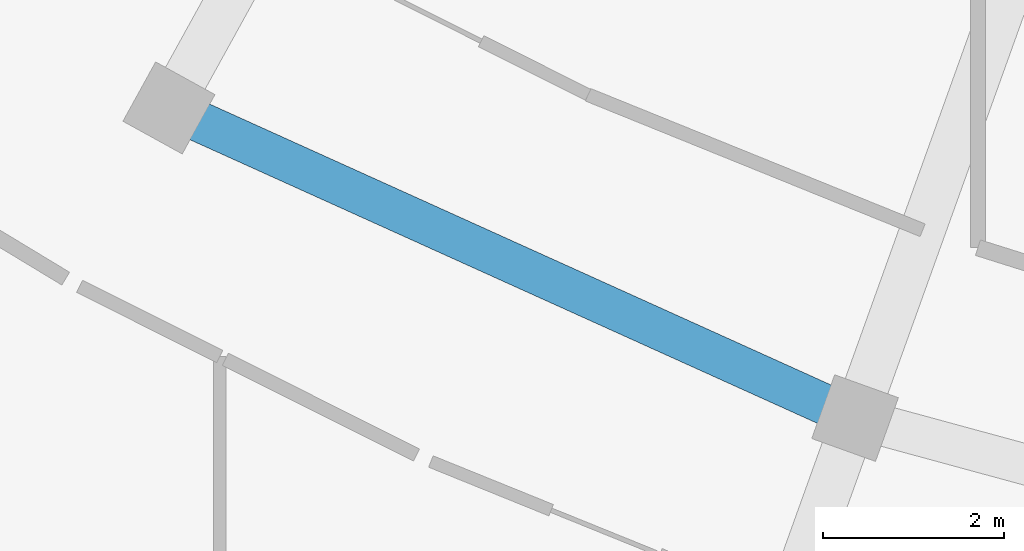
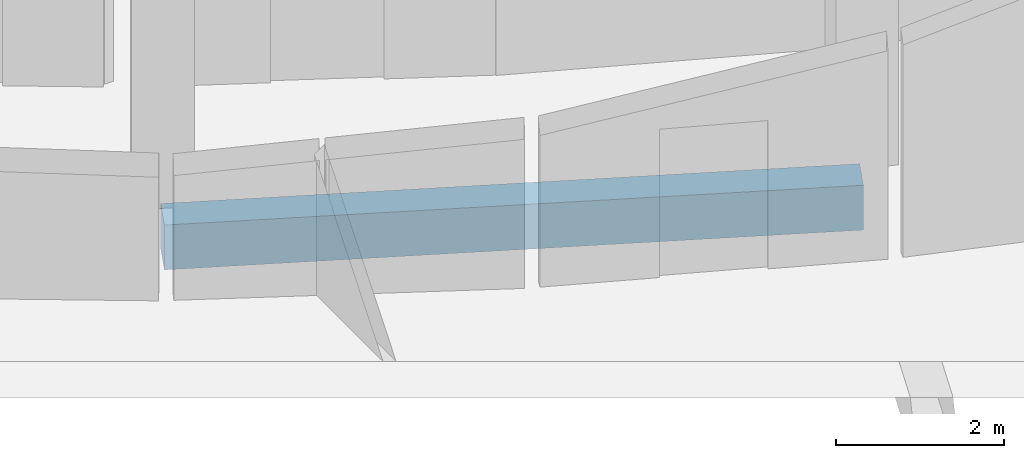
# One storey, part 21 of 158: 1 beam.
"""IFC4 building model written with IfcOpenShell, lengths in metres."""

from ifc_helpers import new_model, si_unit, direction, frame, origin, origin_2d, place, context, subcontext, project, spatial, rectangle, extrude, material, material_profile, profile_set, type_object, element, save


model = new_model("IFC4")

# Units and contexts
model_context = context("Model", 3, precision=1e-05, world=origin(), true_north=direction((0.0, 1.0)))
body_context = subcontext(model_context, "Body", "Model", "MODEL_VIEW")
ifc_project = project(units=[si_unit("LENGTHUNIT", "METRE"), si_unit("AREAUNIT", "SQUARE_METRE"), si_unit("VOLUMEUNIT", "CUBIC_METRE"), si_unit("PLANEANGLEUNIT", "RADIAN"), si_unit("MASSUNIT", "GRAM", prefix="KILO")], contexts=[model_context])

# Site, building, storey
site_placement = place(None, origin())
site = spatial("IfcSite", under=ifc_project, at=site_placement, CompositionType="ELEMENT")
building_placement = place(site_placement, origin())
building = spatial("IfcBuilding", under=site, at=building_placement, Name="Selatvlak General Hospital", CompositionType="ELEMENT")
storey_placement = place(building_placement, origin())
storey = spatial("IfcBuildingStorey", under=building, at=storey_placement, Name="L00", CompositionType="ELEMENT", Elevation=0.0)

# Beam
ifc_material = material(Name="Concrete C40/50", Category="concrete")
ifc_material_profile = material_profile(ifc_material, rectangle(XDim=0.449951171875, YDim=0.64990234375, at=origin_2d()), Name="RC-BM 450x650")
ifc_profile_set = profile_set([ifc_material_profile], Name="Concrete C40/50")
beam_type = type_object("IfcBeamType", Name="BM-G04", PredefinedType="BEAM", material=ifc_profile_set)
beam_placement = place(storey_placement, frame((30.637939453125, 33.531982421875, -0.675048828125), z_axis=(0.911222507052, -0.411914484623, 0.0), x_axis=(0.411914484623, 0.911222507052, 0.0)))
element("IfcBeam", 1, at=beam_placement, inside=storey, type_object=beam_type, Name="Beam BMR-L00-0362", PredefinedType="BEAM", context=body_context, shape_type="SweptSolid", body=[
    extrude(rectangle(XDim=0.449951171875, YDim=0.64990234375, at=origin_2d()), origin(), (0.0, 0.0, 1.0), 8.341552734375),
])

save(model, "model.ifc")
